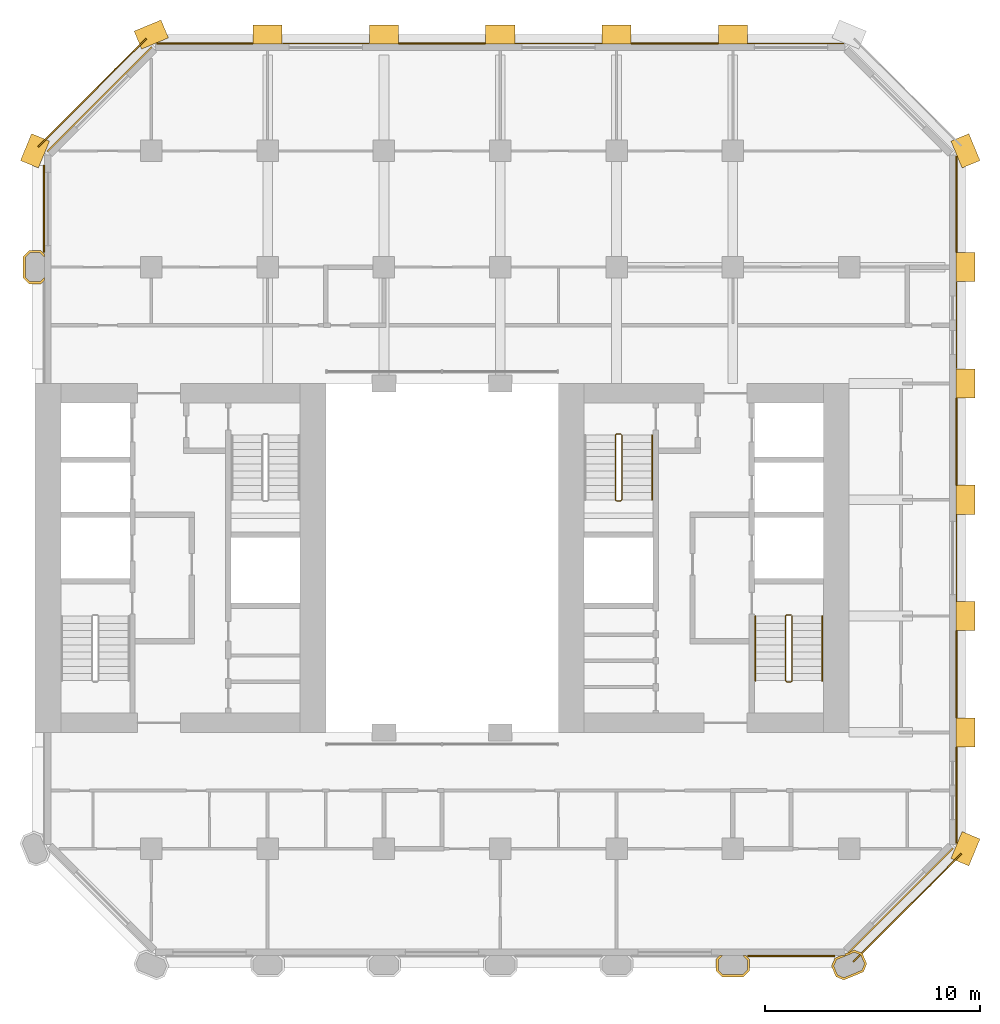
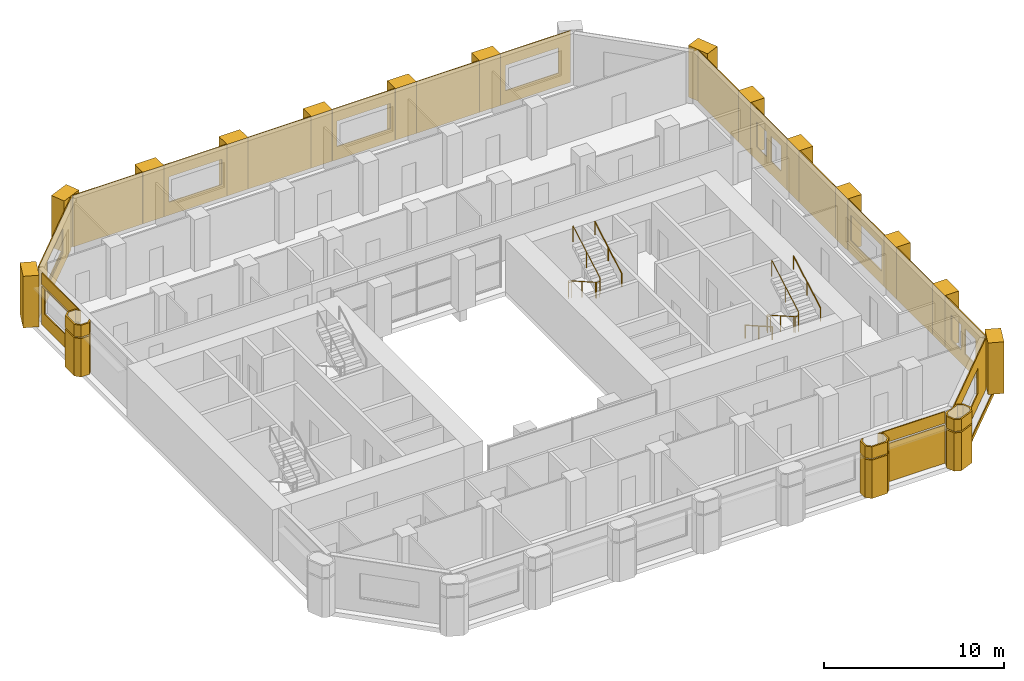
# One storey, part 10 of 11: 40 coverings, 5 railings.
"""IFC4 building model written with IfcOpenShell, lengths in metres."""

from ifc_helpers import new_model, si_unit, direction, frame, frame_2d, origin, origin_2d, place, context, subcontext, project, spatial, polyline, rectangle, circle, outline, extrude, material, layer, layer_set, type_object, element, save


model = new_model("IFC4")

# Units and contexts
model_context = context("Model", 3, precision=1e-05, world=origin(), true_north=direction((0.0, 1.0)))
body_context = subcontext(model_context, "Body", "Model", "MODEL_VIEW")
ifc_project = project(units=[si_unit("LENGTHUNIT", "METRE"), si_unit("AREAUNIT", "SQUARE_METRE"), si_unit("VOLUMEUNIT", "CUBIC_METRE"), si_unit("PLANEANGLEUNIT", "RADIAN"), si_unit("MASSUNIT", "GRAM", prefix="KILO")], contexts=[model_context])

# Site, building, storey
site_placement = place(None, origin())
site = spatial("IfcSite", under=ifc_project, at=site_placement, CompositionType="ELEMENT")
building_placement = place(site_placement, origin())
building = spatial("IfcBuilding", under=site, at=building_placement, Name="Tabaq Tower and Sports Hall", CompositionType="ELEMENT")
storey_placement = place(building_placement, frame((0.0, 0.0, 72.60009765625)))
storey = spatial("IfcBuildingStorey", under=building, at=storey_placement, Name="L16", CompositionType="ELEMENT", Elevation=72.60009765625)

# Coverings
ifc_material_1 = material(Name="Precast concrete C60/75", Category="concrete")
ifc_layer_1 = layer(ifc_material_1, 0.10009765625)
ifc_layer_set_1 = layer_set([ifc_layer_1], Name="Column cladding 100")
covering_type_1 = type_object("IfcCoveringType", Name="Column cladding 100", PredefinedType="CLADDING", material=ifc_layer_set_1)
covering_1_placement = place(storey_placement, origin())
element("IfcCovering", 1, at=covering_1_placement, inside=storey, type_object=covering_type_1, Name="Column cladding L16 PC-2H-O2", PredefinedType="CLADDING", context=body_context, shape_type="SweptSolid", body=[
    extrude(outline(polyline([(5.1337890625, 37.025390625), (4.850341796875, 37.30859375), (4.850341796875, 38.291259765625), (5.1337890625, 38.57470703125), (5.666259765625, 38.57470703125), (5.849609375, 38.391357421875), (5.849609375, 38.250732421875), (5.625244140625, 38.475341796875), (5.1748046875, 38.475341796875), (4.94970703125, 38.250244140625), (4.94970703125, 37.349853515625), (5.1748046875, 37.124755859375), (5.625244140625, 37.124755859375), (5.849609375, 37.349365234375), (5.849609375, 37.208740234375), (5.666259765625, 37.025390625), (5.1337890625, 37.025390625)])), origin(), (0.0, 0.0, 1.0), 2.599853515625),
])
covering_2_placement = place(storey_placement, frame((0.0, 0.0, 2.699951171875)))
element("IfcCovering", 2, at=covering_2_placement, inside=storey, type_object=covering_type_1, Name="Column cladding L16 PC-2H-O2 2", PredefinedType="CLADDING", context=body_context, shape_type="SweptSolid", body=[
    extrude(outline(polyline([(5.1337890625, 37.025390625), (4.850341796875, 37.30859375), (4.850341796875, 38.291259765625), (5.1337890625, 38.57470703125), (5.666259765625, 38.57470703125), (5.849609375, 38.391357421875), (5.849609375, 38.250732421875), (5.625244140625, 38.475341796875), (5.1748046875, 38.475341796875), (4.94970703125, 38.250244140625), (4.94970703125, 37.349853515625), (5.1748046875, 37.124755859375), (5.625244140625, 37.124755859375), (5.849609375, 37.349365234375), (5.849609375, 37.208740234375), (5.666259765625, 37.025390625), (5.1337890625, 37.025390625)])), origin(), (0.0, 0.0, 1.0), 0.800048828125),
])
covering_3_placement = place(storey_placement, origin())
element("IfcCovering", 3, at=covering_3_placement, inside=storey, type_object=covering_type_1, Name="Column cladding L16 PC-8B-O2", PredefinedType="CLADDING", context=body_context, shape_type="SweptSolid", body=[
    extrude(outline(polyline([(37.025390625, 5.666259765625), (37.208740234375, 5.849609375), (37.349365234375, 5.849609375), (37.124755859375, 5.625244140625), (37.124755859375, 5.1748046875), (37.349853515625, 4.94970703125), (38.250244140625, 4.94970703125), (38.475341796875, 5.1748046875), (38.475341796875, 5.625244140625), (38.250732421875, 5.849609375), (38.391357421875, 5.849609375), (38.57470703125, 5.666259765625), (38.57470703125, 5.1337890625), (38.291259765625, 4.850341796875), (37.30859375, 4.850341796875), (37.025390625, 5.1337890625), (37.025390625, 5.666259765625)])), origin(), (0.0, 0.0, 1.0), 2.599853515625),
])
covering_4_placement = place(storey_placement, frame((0.0, 0.0, 2.699951171875)))
element("IfcCovering", 4, at=covering_4_placement, inside=storey, type_object=covering_type_1, Name="Column cladding L16 PC-8B-O2 2", PredefinedType="CLADDING", context=body_context, shape_type="SweptSolid", body=[
    extrude(outline(polyline([(37.025390625, 5.666259765625), (37.208740234375, 5.849609375), (37.349365234375, 5.849609375), (37.124755859375, 5.625244140625), (37.124755859375, 5.1748046875), (37.349853515625, 4.94970703125), (38.250244140625, 4.94970703125), (38.475341796875, 5.1748046875), (38.475341796875, 5.625244140625), (38.250732421875, 5.849609375), (38.391357421875, 5.849609375), (38.57470703125, 5.666259765625), (38.57470703125, 5.1337890625), (38.291259765625, 4.850341796875), (37.30859375, 4.850341796875), (37.025390625, 5.1337890625), (37.025390625, 5.666259765625)])), origin(), (0.0, 0.0, 1.0), 0.800048828125),
])
covering_5_placement = place(storey_placement, origin())
element("IfcCovering", 5, at=covering_5_placement, inside=storey, type_object=covering_type_1, Name="Column cladding L16 PC-9B-O2", PredefinedType="CLADDING", context=body_context, shape_type="SweptSolid", body=[
    extrude(outline(polyline([(42.38232421875, 5.349609375), (42.53564453125, 5.7197265625), (42.84912109375, 5.849609375), (43.013916015625, 5.849609375), (43.013916015625, 5.91796875), (43.16748046875, 5.9814453125), (43.198974609375, 5.9501953125), (43.27490234375, 6.026123046875), (43.443603515625, 6.095947265625), (43.813720703125, 5.9423828125), (44.017578125, 5.450439453125), (43.8642578125, 5.080078125), (42.95654296875, 4.7041015625), (42.586181640625, 4.857421875), (42.38232421875, 5.349609375)]), holes=[polyline([(43.91015625, 5.450439453125), (43.73779296875, 5.866455078125), (43.443603515625, 5.98828125), (42.61181640625, 5.643798828125), (42.489990234375, 5.349609375), (42.662353515625, 4.93359375), (42.95654296875, 4.811767578125), (43.7880859375, 5.15625), (43.91015625, 5.450439453125)])]), origin(), (0.0, 0.0, 1.0), 2.599853515625),
])
covering_6_placement = place(storey_placement, frame((0.0, 0.0, 2.699951171875)))
element("IfcCovering", 6, at=covering_6_placement, inside=storey, type_object=covering_type_1, Name="Column cladding L16 PC-9B-O2 2", PredefinedType="CLADDING", context=body_context, shape_type="SweptSolid", body=[
    extrude(outline(polyline([(42.38232421875, 5.349609375), (42.53564453125, 5.7197265625), (42.84912109375, 5.849609375), (43.013916015625, 5.849609375), (43.013916015625, 5.91796875), (43.16748046875, 5.9814453125), (43.198974609375, 5.9501953125), (43.27490234375, 6.026123046875), (43.443603515625, 6.095947265625), (43.813720703125, 5.9423828125), (44.017578125, 5.450439453125), (43.8642578125, 5.080078125), (42.95654296875, 4.7041015625), (42.586181640625, 4.857421875), (42.38232421875, 5.349609375)]), holes=[polyline([(43.91015625, 5.450439453125), (43.73779296875, 5.866455078125), (43.443603515625, 5.98828125), (42.61181640625, 5.643798828125), (42.489990234375, 5.349609375), (42.662353515625, 4.93359375), (42.95654296875, 4.811767578125), (43.7880859375, 5.15625), (43.91015625, 5.450439453125)])]), origin(), (0.0, 0.0, 1.0), 0.800048828125),
])
ifc_material_2 = material(Name="Precast concrete C60/75", Category="concrete")
ifc_layer_2 = layer(ifc_material_2, 0.06005859375)
ifc_layer_set_2 = layer_set([ifc_layer_2], Name="Edge beam cladding 60")
covering_type_2 = type_object("IfcCoveringType", Name="Edge beam cladding 60", PredefinedType="CLADDING", material=ifc_layer_set_2)
for number, where, z_axis, x_axis, name in (
    (7, (43.39794921875, 5.5556640625, -0.300048828125), (0.0, 0.0, 1.0), (0.707124002701, 0.707089559252, 0.0), "Edge beam cladding L16 1"),
    (8, (10.567626953125, 48.41015625, -0.300048828125), (0.0, 0.0, 1.0), (-0.707089559252, -0.707124002701, 0.0), "Edge beam cladding L16 5"),
):
    element("IfcCovering", number, at=place(storey_placement, frame(where, z_axis=z_axis, x_axis=x_axis)), inside=storey, type_object=covering_type_2, Name=name, PredefinedType="CLADDING", context=body_context, shape_type="SweptSolid", body=[
        extrude(rectangle(XDim=7.088134765625, YDim=0.06005859375, at=frame_2d((3.5439453125, 0.0))), origin(), (0.0, 0.0, 1.0), 0.300048828125),
    ])
ifc_material_3 = material(Name="White precast concrete C60/75", Category="concrete")
covering_type_3 = type_object("IfcCoveringType", Name="Pier cladding hung 1350x900", PredefinedType="CLADDING", material=ifc_material_3)
for number, where, z_axis, x_axis, name in (
    (9, (5.658203125, 43.82373046875, 0.0), (0.0, 0.0, 1.0), (-0.382649923473, -0.923893411637, 0.0), "Hung pier cladding 1/8"),
    (10, (11.423583984375, 48.8583984375, 0.0), (0.0, 0.0, 1.0), (-0.923893411637, -0.382649923473, 0.0), "Hung pier cladding 2/9"),
    (11, (16.875, 48.60009765625, 0.0), (0.0, 0.0, 1.0), (-1.0, 0.0, 0.0), "Hung pier cladding 3/9"),
):
    element("IfcCovering", number, at=place(storey_placement, frame(where, z_axis=z_axis, x_axis=x_axis)), inside=storey, type_object=covering_type_3, Name=name, PredefinedType="CLADDING", context=body_context, shape_type="SweptSolid", body=[
        extrude(rectangle(XDim=1.35009765625, YDim=0.89990234375, at=frame_2d((0.675048828125, 0.0))), origin(), (0.0, 0.0, 1.0), 3.5),
    ])
covering_7_placement = place(storey_placement, frame((22.27490234375, 48.60009765625, 0.0), z_axis=(0.0, 0.0, 1.0), x_axis=(-1.0, 0.0, 0.0)))
element("IfcCovering", 12, at=covering_7_placement, inside=storey, type_object=covering_type_3, Name="Hung pier cladding 4/9", PredefinedType="CLADDING", context=body_context, shape_type="SweptSolid", body=[
    extrude(rectangle(XDim=1.349853515625, YDim=0.89990234375, at=frame_2d((0.6748046875, 0.0))), origin(), (0.0, 0.0, 1.0), 3.5),
])
covering_8_placement = place(storey_placement, frame((27.675048828125, 48.60009765625, 0.0), z_axis=(0.0, 0.0, 1.0), x_axis=(-1.0, 0.0, 0.0)))
element("IfcCovering", 13, at=covering_8_placement, inside=storey, type_object=covering_type_3, Name="Hung pier cladding 5/9", PredefinedType="CLADDING", context=body_context, shape_type="SweptSolid", body=[
    extrude(rectangle(XDim=1.35009765625, YDim=0.89990234375, at=frame_2d((0.675048828125, 0.0))), origin(), (0.0, 0.0, 1.0), 3.5),
])
covering_9_placement = place(storey_placement, frame((33.074951171875, 48.60009765625, 0.0), z_axis=(0.0, 0.0, 1.0), x_axis=(-1.0, 0.0, 0.0)))
element("IfcCovering", 14, at=covering_9_placement, inside=storey, type_object=covering_type_3, Name="Hung pier cladding 6/9", PredefinedType="CLADDING", context=body_context, shape_type="SweptSolid", body=[
    extrude(rectangle(XDim=1.349853515625, YDim=0.89990234375, at=frame_2d((0.6748046875, 0.0))), origin(), (0.0, 0.0, 1.0), 3.5),
])
for number, where, z_axis, x_axis, name in (
    (15, (38.47509765625, 48.60009765625, 0.0), (0.0, 0.0, 1.0), (-1.0, 0.0, 0.0), "Hung pier cladding 7/9"),
    (16, (48.341796875, 10.17626953125, 0.0), (0.0, 0.0, 1.0), (0.382649923473, 0.923893411637, 0.0), "Hung pier cladding 9/2"),
    (17, (48.60009765625, 15.52490234375, 0.0), (0.0, 0.0, 1.0), (0.0, 1.0, 0.0), "Hung pier cladding 9/3"),
):
    element("IfcCovering", number, at=place(storey_placement, frame(where, z_axis=z_axis, x_axis=x_axis)), inside=storey, type_object=covering_type_3, Name=name, PredefinedType="CLADDING", context=body_context, shape_type="SweptSolid", body=[
        extrude(rectangle(XDim=1.35009765625, YDim=0.89990234375, at=frame_2d((0.675048828125, 0.0))), origin(), (0.0, 0.0, 1.0), 3.5),
    ])
covering_10_placement = place(storey_placement, frame((48.60009765625, 20.925048828125, 0.0), z_axis=(0.0, 0.0, 1.0), x_axis=(0.0, 1.0, 0.0)))
element("IfcCovering", 18, at=covering_10_placement, inside=storey, type_object=covering_type_3, Name="Hung pier cladding 9/4", PredefinedType="CLADDING", context=body_context, shape_type="SweptSolid", body=[
    extrude(rectangle(XDim=1.349853515625, YDim=0.89990234375, at=frame_2d((0.6748046875, 0.0))), origin(), (0.0, 0.0, 1.0), 3.5),
])
covering_11_placement = place(storey_placement, frame((48.60009765625, 26.324951171875, 0.0), z_axis=(0.0, 0.0, 1.0), x_axis=(0.0, 1.0, 0.0)))
element("IfcCovering", 19, at=covering_11_placement, inside=storey, type_object=covering_type_3, Name="Hung pier cladding 9/5", PredefinedType="CLADDING", context=body_context, shape_type="SweptSolid", body=[
    extrude(rectangle(XDim=1.35009765625, YDim=0.89990234375, at=frame_2d((0.675048828125, 0.0))), origin(), (0.0, 0.0, 1.0), 3.5),
])
covering_12_placement = place(storey_placement, frame((48.60009765625, 31.72509765625, 0.0), z_axis=(0.0, 0.0, 1.0), x_axis=(0.0, 1.0, 0.0)))
element("IfcCovering", 20, at=covering_12_placement, inside=storey, type_object=covering_type_3, Name="Hung pier cladding 9/6", PredefinedType="CLADDING", context=body_context, shape_type="SweptSolid", body=[
    extrude(rectangle(XDim=1.349853515625, YDim=0.89990234375, at=frame_2d((0.6748046875, 0.0))), origin(), (0.0, 0.0, 1.0), 3.5),
])
for number, where, z_axis, x_axis, name in (
    (21, (48.60009765625, 37.125, 0.0), (0.0, 0.0, 1.0), (0.0, 1.0, 0.0), "Hung pier cladding 9/7"),
    (22, (48.8583984375, 42.576416015625, 0.0), (0.0, 0.0, 1.0), (-0.382649923473, 0.923893411637, 0.0), "Hung pier cladding 9/8"),
):
    element("IfcCovering", number, at=place(storey_placement, frame(where, z_axis=z_axis, x_axis=x_axis)), inside=storey, type_object=covering_type_3, Name=name, PredefinedType="CLADDING", context=body_context, shape_type="SweptSolid", body=[
        extrude(rectangle(XDim=1.35009765625, YDim=0.89990234375, at=frame_2d((0.675048828125, 0.0))), origin(), (0.0, 0.0, 1.0), 3.5),
    ])

# Railings
ifc_material_4 = material(Name="Stainless steel", Category="steel")
railing_type_1 = type_object("IfcRailingType", Name="Stair guard", PredefinedType="GUARDRAIL", material=ifc_material_4)
railing_1_placement = place(storey_placement, frame((40.5, 21.64990234375, 0.0)))
element("IfcRailing", 23, at=railing_1_placement, inside=storey, type_object=railing_type_1, Name="L16 ST3 stair guard 1", PredefinedType="GUARDRAIL", context=body_context, shape_type="SweptSolid", body=[
    extrude(circle(Radius=0.02392578125, at=origin_2d()), frame((0.0, 0.0, 1.076171875), z_axis=(-1.0, 0.0, 0.0), x_axis=(0.0, -1.0, 0.0)), (0.0, 0.0, 1.0), 0.199951171875),
    extrude(circle(Radius=0.02392578125, at=origin_2d()), frame((-0.199951171875, 0.0, 1.076171875), z_axis=(-0.246983470365, -0.245778672949, 0.937332389972), x_axis=(0.705375805398, -0.708833529934, 0.0)), (0.0, 0.0, 1.0), 0.20263671875),
    extrude(circle(Radius=0.02392578125, at=origin_2d()), frame((-0.25, -0.0498046875, 1.26611328125), z_axis=(0.0, -0.868782136927, 0.495194505781), x_axis=(1.0, 0.0, 0.0)), (0.0, 0.0, 1.0), 3.453125),
    extrude(circle(Radius=0.02392578125, at=origin_2d()), frame((-0.25, -3.0498046875, 2.97607421875), z_axis=(0.707106781187, -0.707106781187, 0.0), x_axis=(0.707106781187, 0.707106781187, 0.0)), (0.0, 0.0, 1.0), 0.07080078125),
    extrude(circle(Radius=0.02392578125, at=origin_2d()), frame((-0.199951171875, -3.099853515625, 2.97607421875), z_axis=(1.0, 0.0, 0.0), x_axis=(0.0, 1.0, 0.0)), (0.0, 0.0, 1.0), 0.199951171875),
    extrude(circle(Radius=0.02392578125, at=origin_2d()), frame((0.0, -3.099853515625, 2.97607421875), z_axis=(0.246910188598, 0.246910188598, 0.937054276727), x_axis=(-0.707106781187, 0.707106781187, 0.0)), (0.0, 0.0, 1.0), 0.20263671875),
    extrude(circle(Radius=0.02392578125, at=origin_2d()), frame((0.050048828125, -3.0498046875, 3.166015625), z_axis=(0.0, 0.868782136927, 0.495194505781), x_axis=(-1.0, 0.0, 0.0)), (0.0, 0.0, 1.0), 3.453125),
    extrude(circle(Radius=0.02099609375, at=origin_2d()), origin(), (0.0, 0.0, 1.0), 1.052001953125),
    extrude(circle(Radius=0.02099609375, at=origin_2d()), frame((-0.199951171875, 0.0, 0.0)), (0.0, 0.0, 1.0), 1.052001953125),
    extrude(circle(Radius=0.02099609375, at=origin_2d()), frame((-0.25, -0.0498046875, 0.18994140625)), (0.0, 0.0, 1.0), 1.052001953125),
    extrude(circle(Radius=0.02099609375, at=origin_2d()), frame((-0.25, -1.5498046875, 1.044921875)), (0.0, 0.0, 1.0), 1.052001953125),
    extrude(circle(Radius=0.02099609375, at=origin_2d()), frame((-0.25, -3.0498046875, 1.89990234375)), (0.0, 0.0, 1.0), 1.052001953125),
    extrude(circle(Radius=0.02099609375, at=origin_2d()), frame((-0.199951171875, -3.099853515625, 1.89990234375)), (0.0, 0.0, 1.0), 1.052001953125),
    extrude(circle(Radius=0.02099609375, at=origin_2d()), frame((0.0, -3.099853515625, 1.89990234375)), (0.0, 0.0, 1.0), 1.052001953125),
    extrude(circle(Radius=0.02099609375, at=origin_2d()), frame((0.050048828125, -3.0498046875, 2.08984375)), (0.0, 0.0, 1.0), 1.052001953125),
    extrude(circle(Radius=0.02099609375, at=origin_2d()), frame((0.050048828125, -1.5498046875, 2.94482421875)), (0.0, 0.0, 1.0), 1.052001953125),
    extrude(circle(Radius=0.02099609375, at=origin_2d()), frame((0.050048828125, -0.0498046875, 3.7998046875)), (0.0, 0.0, 1.0), 1.052001953125),
])
railing_2_placement = place(storey_placement, frame((32.60009765625, 30.050048828125, 0.0)))
element("IfcRailing", 24, at=railing_2_placement, inside=storey, type_object=railing_type_1, Name="L16 ST4 stair guard 1", PredefinedType="GUARDRAIL", context=body_context, shape_type="SweptSolid", body=[
    extrude(circle(Radius=0.02392578125, at=origin_2d()), frame((0.0, 0.0, 1.076171875), z_axis=(-1.0, 0.0, 0.0), x_axis=(0.0, -1.0, 0.0)), (0.0, 0.0, 1.0), 0.2001953125),
    extrude(circle(Radius=0.02392578125, at=origin_2d()), frame((-0.2001953125, 0.0, 1.076171875), z_axis=(-0.245778672949, -0.246983470365, 0.937332389972), x_axis=(0.708833529934, -0.705375805398, 0.0)), (0.0, 0.0, 1.0), 0.20263671875),
    extrude(circle(Radius=0.02392578125, at=origin_2d()), frame((-0.25, -0.050048828125, 1.26611328125), z_axis=(0.0, -0.868782136927, 0.495194505781), x_axis=(1.0, 0.0, 0.0)), (0.0, 0.0, 1.0), 3.453125),
    extrude(circle(Radius=0.02392578125, at=origin_2d()), frame((-0.25, -3.050048828125, 2.97607421875), z_axis=(0.705375805398, -0.708833529934, 0.0), x_axis=(0.708833529934, 0.705375805398, 0.0)), (0.0, 0.0, 1.0), 0.070556640625),
    extrude(circle(Radius=0.02392578125, at=origin_2d()), frame((-0.2001953125, -3.10009765625, 2.97607421875), z_axis=(1.0, 0.0, 0.0), x_axis=(0.0, 1.0, 0.0)), (0.0, 0.0, 1.0), 0.2001953125),
    extrude(circle(Radius=0.02392578125, at=origin_2d()), frame((0.0, -3.10009765625, 2.97607421875), z_axis=(0.245778672949, 0.246983470365, 0.937332389972), x_axis=(-0.708833529934, 0.705375805398, 0.0)), (0.0, 0.0, 1.0), 0.20263671875),
    extrude(circle(Radius=0.02392578125, at=origin_2d()), frame((0.0498046875, -3.050048828125, 3.166015625), z_axis=(0.0, 0.868782136927, 0.495194505781), x_axis=(-1.0, 0.0, 0.0)), (0.0, 0.0, 1.0), 3.453125),
    extrude(circle(Radius=0.02099609375, at=origin_2d()), origin(), (0.0, 0.0, 1.0), 1.052001953125),
    extrude(circle(Radius=0.02099609375, at=origin_2d()), frame((-0.2001953125, 0.0, 0.0)), (0.0, 0.0, 1.0), 1.052001953125),
    extrude(circle(Radius=0.02099609375, at=origin_2d()), frame((-0.25, -0.050048828125, 0.18994140625)), (0.0, 0.0, 1.0), 1.052001953125),
    extrude(circle(Radius=0.02099609375, at=origin_2d()), frame((-0.25, -1.550048828125, 1.044921875)), (0.0, 0.0, 1.0), 1.052001953125),
    extrude(circle(Radius=0.02099609375, at=origin_2d()), frame((-0.25, -3.050048828125, 1.89990234375)), (0.0, 0.0, 1.0), 1.052001953125),
    extrude(circle(Radius=0.02099609375, at=origin_2d()), frame((-0.2001953125, -3.10009765625, 1.89990234375)), (0.0, 0.0, 1.0), 1.052001953125),
    extrude(circle(Radius=0.02099609375, at=origin_2d()), frame((0.0, -3.10009765625, 1.89990234375)), (0.0, 0.0, 1.0), 1.052001953125),
    extrude(circle(Radius=0.02099609375, at=origin_2d()), frame((0.0498046875, -3.050048828125, 2.08984375)), (0.0, 0.0, 1.0), 1.052001953125),
    extrude(circle(Radius=0.02099609375, at=origin_2d()), frame((0.0498046875, -1.550048828125, 2.94482421875)), (0.0, 0.0, 1.0), 1.052001953125),
    extrude(circle(Radius=0.02099609375, at=origin_2d()), frame((0.0498046875, -0.050048828125, 3.7998046875)), (0.0, 0.0, 1.0), 1.052001953125),
])
ifc_material_5 = material(Name="Stainless steel", Category="steel")
railing_type_2 = type_object("IfcRailingType", Name="Stair handrail", PredefinedType="HANDRAIL", material=ifc_material_5)
railing_3_placement = place(storey_placement, frame((38.85009765625, 21.60009765625, 0.18994140625)))
element("IfcRailing", 25, at=railing_3_placement, inside=storey, type_object=railing_type_2, Name="L16 ST3 stair handrail 1", PredefinedType="HANDRAIL", context=body_context, shape_type="SweptSolid", body=[
    extrude(circle(Radius=0.02392578125, at=origin_2d()), frame((0.0, 0.0, 0.8759765625), z_axis=(0.0, -0.868782136927, 0.495194505781), x_axis=(1.0, 0.0, 0.0)), (0.0, 0.0, 1.0), 3.453125),
    extrude(circle(Radius=0.02099609375, at=origin_2d()), origin(), (0.0, 0.0, 1.0), 0.851806640625),
    extrude(circle(Radius=0.02099609375, at=origin_2d()), frame((0.0, -1.5, 0.85498046875)), (0.0, 0.0, 1.0), 0.851806640625),
    extrude(circle(Radius=0.02099609375, at=origin_2d()), frame((0.0, -3.0, 1.7099609375)), (0.0, 0.0, 1.0), 0.851806640625),
])
for number, where, name in (
    (26, (41.949951171875, 18.60009765625, 2.08984375), "L16 ST3 stair handrail 2"),
    (27, (34.050048828125, 27.0, 2.08984375), "L16 ST4 stair handrail 2"),
):
    element("IfcRailing", number, at=place(storey_placement, frame(where)), inside=storey, type_object=railing_type_2, Name=name, PredefinedType="HANDRAIL", context=body_context, shape_type="SweptSolid", body=[
        extrude(circle(Radius=0.02392578125, at=origin_2d()), frame((0.0, 0.0, 0.8759765625), z_axis=(0.0, 0.868782136927, 0.495194505781), x_axis=(-1.0, 0.0, 0.0)), (0.0, 0.0, 1.0), 3.453125),
        extrude(circle(Radius=0.02099609375, at=origin_2d()), origin(), (0.0, 0.0, 1.0), 0.851806640625),
        extrude(circle(Radius=0.02099609375, at=origin_2d()), frame((0.0, 1.5, 0.85498046875)), (0.0, 0.0, 1.0), 0.851806640625),
        extrude(circle(Radius=0.02099609375, at=origin_2d()), frame((0.0, 3.0, 1.7099609375)), (0.0, 0.0, 1.0), 0.851806640625),
    ])

# Coverings
ifc_material_6 = material(Name="Precast concrete C60/75", Category="concrete")
ifc_layer_3 = layer(ifc_material_6, 0.06005859375)
ifc_layer_set_3 = layer_set([ifc_layer_3], Name="White precast cladding panel 60 C60/75")
covering_type_4 = type_object("IfcCoveringType", Name="White precast cladding panel 60 C60/75", PredefinedType="CLADDING", material=ifc_layer_set_3)
covering_13_placement = place(storey_placement, frame((38.485107421875, 5.820068359375, 0.0), z_axis=(0.0, 0.0, 1.0), x_axis=(1.0, 0.0, 0.0)))
element("IfcCovering", 28, at=covering_13_placement, inside=storey, type_object=covering_type_4, Name="White precast cladding panel L16 wall00 11", PredefinedType="CLADDING", context=body_context, shape_type="SweptSolid", body=[
    extrude(rectangle(XDim=4.0498046875, YDim=0.06005859375, at=frame_2d((2.02490234375, 0.0))), origin(), (0.0, 0.0, 1.0), 2.58984375),
])
covering_14_placement = place(storey_placement, frame((38.485107421875, 5.820068359375, 2.7099609375), z_axis=(0.0, 0.0, 1.0), x_axis=(1.0, 0.0, 0.0)))
element("IfcCovering", 29, at=covering_14_placement, inside=storey, type_object=covering_type_4, Name="White precast cladding panel L16 wall00 12", PredefinedType="CLADDING", context=body_context, shape_type="SweptSolid", body=[
    extrude(rectangle(XDim=4.0498046875, YDim=0.06005859375, at=frame_2d((2.02490234375, 0.0))), origin(), (0.0, 0.0, 1.0), 0.7900390625),
])
covering_15_placement = place(storey_placement, frame((43.177734375, 5.9716796875, 0.0), z_axis=(0.0, 0.0, 1.0), x_axis=(0.707106781187, 0.707106781187, 0.0)))
element("IfcCovering", 30, at=covering_15_placement, inside=storey, type_object=covering_type_4, Name="White precast cladding panel L16 wall01", PredefinedType="CLADDING", context=body_context, shape_type="SweptSolid", body=[
    extrude(outline(polyline([(0.0, 0.0), (6.85986328125, 0.0), (6.85986328125, 3.5), (0.0, 3.5), (0.0, 0.0)]), holes=[polyline([(1.7197265625, 0.889892578125), (1.7197265625, 2.60986328125), (5.139892578125, 2.60986328125), (5.139892578125, 0.889892578125), (1.7197265625, 0.889892578125)])]), frame((0.0, 0.030029296875, 0.0), z_axis=(0.0, -1.0, 0.0), x_axis=(1.0, 0.0, 0.0)), (0.0, 0.0, 1.0), 0.06005859375),
])
covering_16_placement = place(storey_placement, frame((48.179931640625, 11.043212890625, 0.0), z_axis=(0.0, 0.0, 1.0), x_axis=(0.0, 1.0, 0.0)))
element("IfcCovering", 31, at=covering_16_placement, inside=storey, type_object=covering_type_4, Name="White precast cladding panel L16 wall02", PredefinedType="CLADDING", context=body_context, shape_type="SweptSolid", body=[
    extrude(outline(polyline([(0.0, 0.0), (4.4716796875, 0.0), (4.4716796875, 3.5), (0.0, 3.5), (0.0, 0.0)]), holes=[polyline([(1.096923828125, 2.60986328125), (2.216796875, 2.60986328125), (2.216796875, 0.889892578125), (1.096923828125, 0.889892578125), (1.096923828125, 2.60986328125)]), polyline([(2.69677734375, 2.60986328125), (3.81689453125, 2.60986328125), (3.81689453125, 0.889892578125), (2.69677734375, 0.889892578125), (2.69677734375, 2.60986328125)])]), frame((0.0, 0.030029296875, 0.0), z_axis=(0.0, -1.0, 0.0), x_axis=(1.0, 0.0, 0.0)), (0.0, 0.0, 1.0), 0.06005859375),
])
covering_17_placement = place(storey_placement, frame((48.179931640625, 16.885009765625, 0.0), z_axis=(0.0, 0.0, 1.0), x_axis=(0.0, 1.0, 0.0)))
element("IfcCovering", 32, at=covering_17_placement, inside=storey, type_object=covering_type_4, Name="White precast cladding panel L16 wall02 2", PredefinedType="CLADDING", context=body_context, shape_type="SweptSolid", body=[
    extrude(rectangle(XDim=4.030029296875, YDim=0.06005859375, at=frame_2d((2.01513671875, 0.0))), origin(), (0.0, 0.0, 1.0), 3.5),
])
covering_18_placement = place(storey_placement, frame((48.179931640625, 22.284912109375, 0.0), z_axis=(0.0, 0.0, 1.0), x_axis=(0.0, 1.0, 0.0)))
element("IfcCovering", 33, at=covering_18_placement, inside=storey, type_object=covering_type_4, Name="White precast cladding panel L16 wall02 3", PredefinedType="CLADDING", context=body_context, shape_type="SweptSolid", body=[
    extrude(outline(polyline([(0.0, 0.0), (4.030029296875, 0.0), (4.030029296875, 3.5), (0.0, 3.5), (0.0, 0.0)]), holes=[polyline([(0.304931640625, 0.889892578125), (0.304931640625, 2.60986328125), (3.72509765625, 2.60986328125), (3.72509765625, 0.889892578125), (0.304931640625, 0.889892578125)])]), frame((0.0, 0.030029296875, 0.0), z_axis=(0.0, -1.0, 0.0), x_axis=(1.0, 0.0, 0.0)), (0.0, 0.0, 1.0), 0.06005859375),
])
covering_19_placement = place(storey_placement, frame((48.179931640625, 27.68505859375, 0.0), z_axis=(0.0, 0.0, 1.0), x_axis=(0.0, 1.0, 0.0)))
element("IfcCovering", 34, at=covering_19_placement, inside=storey, type_object=covering_type_4, Name="White precast cladding panel L16 wall02 4", PredefinedType="CLADDING", context=body_context, shape_type="SweptSolid", body=[
    extrude(rectangle(XDim=4.030029296875, YDim=0.06005859375, at=frame_2d((2.01513671875, 0.0))), origin(), (0.0, 0.0, 1.0), 3.5),
])
covering_20_placement = place(storey_placement, frame((48.179931640625, 33.0849609375, 0.0), z_axis=(0.0, 0.0, 1.0), x_axis=(0.0, 1.0, 0.0)))
element("IfcCovering", 35, at=covering_20_placement, inside=storey, type_object=covering_type_4, Name="White precast cladding panel L16 wall02 5", PredefinedType="CLADDING", context=body_context, shape_type="SweptSolid", body=[
    extrude(outline(polyline([(0.0, 0.0), (4.030029296875, 0.0), (4.030029296875, 3.5), (0.0, 3.5), (0.0, 0.0)]), holes=[polyline([(0.655029296875, 2.60986328125), (1.77490234375, 2.60986328125), (1.77490234375, 0.889892578125), (0.655029296875, 0.889892578125), (0.655029296875, 2.60986328125)]), polyline([(2.2548828125, 2.60986328125), (3.375, 2.60986328125), (3.375, 0.889892578125), (2.2548828125, 0.889892578125), (2.2548828125, 2.60986328125)])]), frame((0.0, 0.030029296875, 0.0), z_axis=(0.0, -1.0, 0.0), x_axis=(1.0, 0.0, 0.0)), (0.0, 0.0, 1.0), 0.06005859375),
])
covering_21_placement = place(storey_placement, frame((48.179931640625, 38.485107421875, 0.0), z_axis=(0.0, 0.0, 1.0), x_axis=(0.0, 1.0, 0.0)))
element("IfcCovering", 36, at=covering_21_placement, inside=storey, type_object=covering_type_4, Name="White precast cladding panel L16 wall02 6", PredefinedType="CLADDING", context=body_context, shape_type="SweptSolid", body=[
    extrude(rectangle(XDim=4.4716796875, YDim=0.06005859375, at=frame_2d((2.23583984375, 0.0))), origin(), (0.0, 0.0, 1.0), 3.5),
])
covering_22_placement = place(storey_placement, frame((42.956787109375, 48.179931640625, 0.0), z_axis=(0.0, 0.0, 1.0), x_axis=(-1.0, 0.0, 0.0)))
element("IfcCovering", 37, at=covering_22_placement, inside=storey, type_object=covering_type_4, Name="White precast cladding panel L16 wall04", PredefinedType="CLADDING", context=body_context, shape_type="SweptSolid", body=[
    extrude(outline(polyline([(0.0, 0.0), (4.4716796875, 0.0), (4.4716796875, 3.5), (0.0, 3.5), (0.0, 0.0)]), holes=[polyline([(0.746826171875, 0.889892578125), (0.746826171875, 2.60986328125), (4.166748046875, 2.60986328125), (4.166748046875, 0.889892578125), (0.746826171875, 0.889892578125)])]), frame((0.0, 0.030029296875, 0.0), z_axis=(0.0, -1.0, 0.0), x_axis=(1.0, 0.0, 0.0)), (0.0, 0.0, 1.0), 0.06005859375),
])
covering_23_placement = place(storey_placement, frame((37.114990234375, 48.179931640625, 0.0), z_axis=(0.0, 0.0, 1.0), x_axis=(-1.0, 0.0, 0.0)))
element("IfcCovering", 38, at=covering_23_placement, inside=storey, type_object=covering_type_4, Name="White precast cladding panel L16 wall04 2", PredefinedType="CLADDING", context=body_context, shape_type="SweptSolid", body=[
    extrude(rectangle(XDim=4.030029296875, YDim=0.06005859375, at=frame_2d((2.01513671875, 0.0))), origin(), (0.0, 0.0, 1.0), 3.5),
])
covering_24_placement = place(storey_placement, frame((31.715087890625, 48.179931640625, 0.0), z_axis=(0.0, 0.0, 1.0), x_axis=(-1.0, 0.0, 0.0)))
element("IfcCovering", 39, at=covering_24_placement, inside=storey, type_object=covering_type_4, Name="White precast cladding panel L16 wall04 3", PredefinedType="CLADDING", context=body_context, shape_type="SweptSolid", body=[
    extrude(outline(polyline([(0.0, 0.0), (4.030029296875, 0.0), (4.030029296875, 3.5), (0.0, 3.5), (0.0, 0.0)]), holes=[polyline([(0.304931640625, 0.889892578125), (0.304931640625, 2.60986328125), (3.72509765625, 2.60986328125), (3.72509765625, 0.889892578125), (0.304931640625, 0.889892578125)])]), frame((0.0, 0.030029296875, 0.0), z_axis=(0.0, -1.0, 0.0), x_axis=(1.0, 0.0, 0.0)), (0.0, 0.0, 1.0), 0.06005859375),
])
covering_25_placement = place(storey_placement, frame((26.31494140625, 48.179931640625, 0.0), z_axis=(0.0, 0.0, 1.0), x_axis=(-1.0, 0.0, 0.0)))
element("IfcCovering", 40, at=covering_25_placement, inside=storey, type_object=covering_type_4, Name="White precast cladding panel L16 wall04 4", PredefinedType="CLADDING", context=body_context, shape_type="SweptSolid", body=[
    extrude(rectangle(XDim=4.030029296875, YDim=0.06005859375, at=frame_2d((2.01513671875, 0.0))), origin(), (0.0, 0.0, 1.0), 3.5),
])
covering_26_placement = place(storey_placement, frame((20.9150390625, 48.179931640625, 0.0), z_axis=(0.0, 0.0, 1.0), x_axis=(-1.0, 0.0, 0.0)))
element("IfcCovering", 41, at=covering_26_placement, inside=storey, type_object=covering_type_4, Name="White precast cladding panel L16 wall04 5", PredefinedType="CLADDING", context=body_context, shape_type="SweptSolid", body=[
    extrude(outline(polyline([(0.0, 0.0), (4.030029296875, 0.0), (4.030029296875, 3.5), (0.0, 3.5), (0.0, 0.0)]), holes=[polyline([(0.304931640625, 0.889892578125), (0.304931640625, 2.60986328125), (3.72509765625, 2.60986328125), (3.72509765625, 0.889892578125), (0.304931640625, 0.889892578125)])]), frame((0.0, 0.030029296875, 0.0), z_axis=(0.0, -1.0, 0.0), x_axis=(1.0, 0.0, 0.0)), (0.0, 0.0, 1.0), 0.06005859375),
])
covering_27_placement = place(storey_placement, frame((15.514892578125, 48.179931640625, 0.0), z_axis=(0.0, 0.0, 1.0), x_axis=(-1.0, 0.0, 0.0)))
element("IfcCovering", 42, at=covering_27_placement, inside=storey, type_object=covering_type_4, Name="White precast cladding panel L16 wall04 6", PredefinedType="CLADDING", context=body_context, shape_type="SweptSolid", body=[
    extrude(rectangle(XDim=4.4716796875, YDim=0.06005859375, at=frame_2d((2.23583984375, 0.0))), origin(), (0.0, 0.0, 1.0), 3.5),
])
covering_28_placement = place(storey_placement, frame((10.822265625, 48.0283203125, 0.0), z_axis=(0.0, 0.0, 1.0), x_axis=(-0.707106781187, -0.707106781187, 0.0)))
element("IfcCovering", 43, at=covering_28_placement, inside=storey, type_object=covering_type_4, Name="White precast cladding panel L16 wall05", PredefinedType="CLADDING", context=body_context, shape_type="SweptSolid", body=[
    extrude(outline(polyline([(0.0, 0.0), (6.85986328125, 0.0), (6.85986328125, 3.5), (0.0, 3.5), (0.0, 0.0)]), holes=[polyline([(1.7197265625, 0.889892578125), (1.7197265625, 2.60986328125), (5.139892578125, 2.60986328125), (5.139892578125, 0.889892578125), (1.7197265625, 0.889892578125)])]), frame((0.0, 0.030029296875, 0.0), z_axis=(0.0, -1.0, 0.0), x_axis=(1.0, 0.0, 0.0)), (0.0, 0.0, 1.0), 0.06005859375),
])
covering_29_placement = place(storey_placement, frame((5.820068359375, 42.534912109375, 0.0), z_axis=(0.0, 0.0, 1.0), x_axis=(0.0, -1.0, 0.0)))
element("IfcCovering", 44, at=covering_29_placement, inside=storey, type_object=covering_type_4, Name="White precast cladding panel L16 wall06", PredefinedType="CLADDING", context=body_context, shape_type="SweptSolid", body=[
    extrude(outline(polyline([(0.0, 0.0), (4.0498046875, 0.0), (4.0498046875, 2.58984375), (0.0, 2.58984375), (0.0, 0.0)]), holes=[polyline([(3.7451171875, 0.889892578125), (0.324951171875, 0.889892578125), (0.324951171875, 2.559814453125), (3.7451171875, 2.559814453125), (3.7451171875, 0.889892578125)])]), frame((0.0, 0.030029296875, 0.0), z_axis=(0.0, -1.0, 0.0), x_axis=(1.0, 0.0, 0.0)), (0.0, 0.0, 1.0), 0.06005859375),
])
covering_30_placement = place(storey_placement, frame((5.820068359375, 42.534912109375, 2.7099609375), z_axis=(0.0, 0.0, 1.0), x_axis=(0.0, -1.0, 0.0)))
element("IfcCovering", 45, at=covering_30_placement, inside=storey, type_object=covering_type_4, Name="White precast cladding panel L16 wall06 2", PredefinedType="CLADDING", context=body_context, shape_type="SweptSolid", body=[
    extrude(rectangle(XDim=4.0498046875, YDim=0.06005859375, at=frame_2d((2.02490234375, 0.0))), origin(), (0.0, 0.0, 1.0), 0.7900390625),
])

save(model, "model.ifc")
